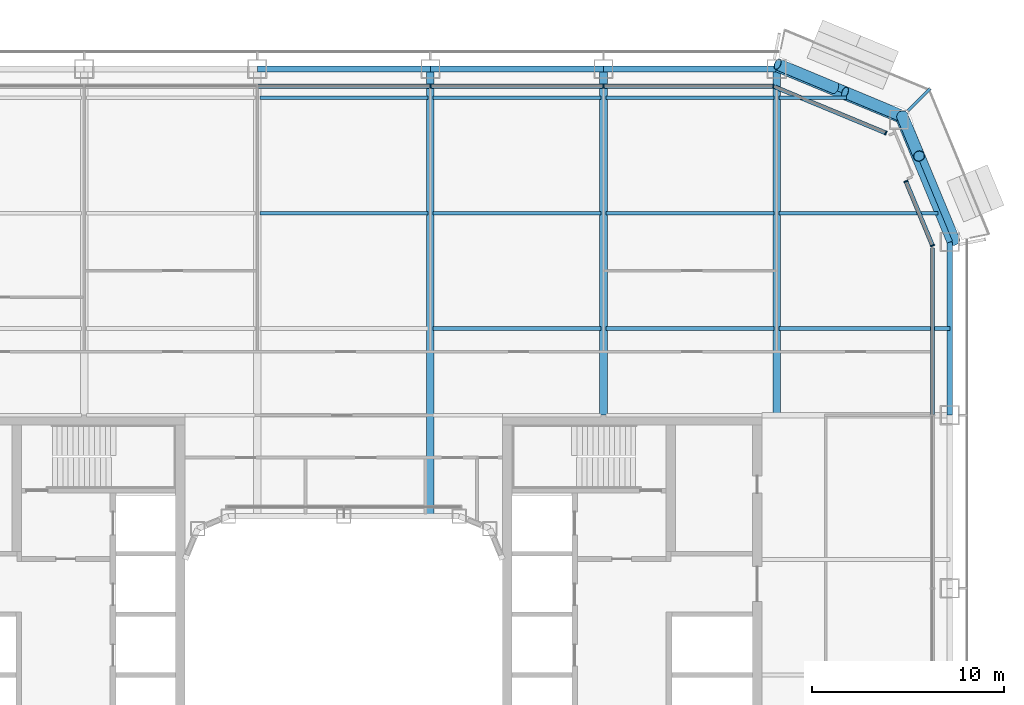
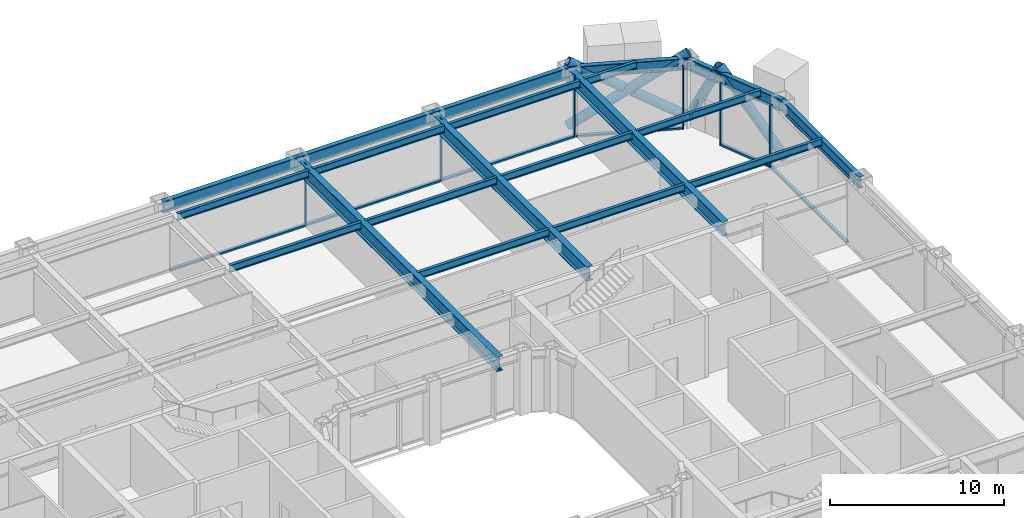
# One storey, part 10 of 30: 21 beams, 17 members, 4 elements without a shape of their own.
"""IFC4 building model written with IfcOpenShell, lengths in metres."""

from ifc_helpers import new_model, si_unit, direction, frame, origin, origin_2d, place, context, subcontext, project, spatial, rectangle, hollow_rectangle, hollow_circle, i_section, extrude, material, layer, layer_set, material_profile, profile_set, type_object, element, aggregate, save


model = new_model("IFC4")

# Units and contexts
model_context = context("Model", 3, precision=1e-05, world=origin(), true_north=direction((0.0, 1.0)))
body_context = subcontext(model_context, "Body", "Model", "MODEL_VIEW")
ifc_project = project(units=[si_unit("LENGTHUNIT", "METRE"), si_unit("AREAUNIT", "SQUARE_METRE"), si_unit("VOLUMEUNIT", "CUBIC_METRE"), si_unit("PLANEANGLEUNIT", "RADIAN"), si_unit("MASSUNIT", "GRAM", prefix="KILO")], contexts=[model_context])

# Site, building, storey
site_placement = place(None, origin())
site = spatial("IfcSite", under=ifc_project, at=site_placement, CompositionType="ELEMENT")
building_placement = place(site_placement, origin())
building = spatial("IfcBuilding", under=site, at=building_placement, Name="Siwar Civic Tower", CompositionType="ELEMENT")
storey_placement = place(building_placement, frame((0.0, 0.0, 80.699951171875)))
storey = spatial("IfcBuildingStorey", under=building, at=storey_placement, Name="L17", CompositionType="ELEMENT", Elevation=80.699951171875)

# Beam
ifc_material_1 = material(Name="Steel S355", Category="steel")
ifc_material_profile_1 = material_profile(ifc_material_1, hollow_rectangle(XDim=0.14990234375, YDim=0.25, WallThickness=0.010009765625, at=origin_2d()), Name="RHS250x150x10")
ifc_profile_set_1 = profile_set([ifc_material_profile_1], Name="Steel S355")
beam_type_1 = type_object("IfcBeamType", Name="ENV-BALCONY ARM", PredefinedType="BEAM", material=ifc_profile_set_1)
beam_1_placement = place(storey_placement, frame((29.32861328125, 29.32861328125, -0.27490234375), z_axis=(0.707106781187, 0.707106781187, 0.0), x_axis=(-0.707106781187, 0.707106781187, 0.0)))
element("IfcBeam", 1, at=beam_1_placement, inside=storey, type_object=beam_type_1, Name="Balcony cantilever beam NE 2", PredefinedType="BEAM", context=body_context, shape_type="SweptSolid", body=[
    extrude(hollow_rectangle(XDim=0.14990234375, YDim=0.25, WallThickness=0.010009765625, at=origin_2d()), origin(), (0.0, 0.0, 1.0), 1.615966796875),
])

# Curtain wall, members
ifc_material_2 = material(Name="Aluminium clad insulated panel", Category="aluminium")
ifc_layer_1 = layer(ifc_material_2, 0.219970703125)
ifc_layer_set_1 = layer_set([ifc_layer_1], Name="Aluminium clad insulated panel")
curtain_wall_type_1 = type_object("IfcCurtainWallType", Name="ENV-CW-AX", PredefinedType="NOTDEFINED", material=ifc_layer_set_1)
curtain_wall_1_placement = place(storey_placement, origin())
curtain_wall_1 = element("IfcCurtainWall", 2, at=curtain_wall_1_placement, inside=storey, type_object=curtain_wall_type_1, Name="Curtain wall A NE1", PredefinedType="NOTDEFINED")
ifc_material_3 = material(Name="Aluminium 6063-T6", Category="aluminium")
ifc_material_profile_2 = material_profile(ifc_material_3, rectangle(XDim=0.219970703125, YDim=0.070068359375, at=origin_2d()), Name="AL 220x70")
ifc_profile_set_2 = profile_set([ifc_material_profile_2], Name="Aluminium 6063-T6")
member_type_1 = type_object("IfcMemberType", Name="ENV-MULLION-A", PredefinedType="MULLION", material=ifc_profile_set_2)
member_1_placement = place(storey_placement, frame((30.60009765625, 22.321044921875, 0.0), z_axis=(0.0, 0.0, 1.0), x_axis=(-0.923879532511, -0.382683432365, 0.0)))
member_1 = element("IfcMember", 3, at=member_1_placement, type_object=member_type_1, Name="Mullion A NE1 1", PredefinedType="MULLION", context=body_context, shape_type="SweptSolid", body=[
    extrude(rectangle(XDim=0.219970703125, YDim=0.070068359375, at=origin_2d()), origin(), (0.0, 0.0, 1.0), 4.35009765625),
])
member_2_placement = place(storey_placement, frame((29.219482421875, 25.653564453125, 0.0), z_axis=(0.0, 0.0, 1.0), x_axis=(-0.923879532511, -0.382683432365, 0.0)))
member_2 = element("IfcMember", 4, at=member_2_placement, type_object=member_type_1, Name="Mullion A NE1 2", PredefinedType="MULLION", context=body_context, shape_type="SweptSolid", body=[
    extrude(rectangle(XDim=0.219970703125, YDim=0.070068359375, at=origin_2d()), origin(), (0.0, 0.0, 1.0), 4.35009765625),
])

# Curtain wall, member
curtain_wall_2_placement = place(storey_placement, origin())
curtain_wall_2 = element("IfcCurtainWall", 5, at=curtain_wall_2_placement, inside=storey, type_object=curtain_wall_type_1, Name="Curtain wall A NE2", PredefinedType="NOTDEFINED")
member_3_placement = place(storey_placement, frame((28.175048828125, 28.175048828125, 0.0), z_axis=(0.0, 0.0, 1.0), x_axis=(-0.382683432365, -0.923879532511, 0.0)))
member_3 = element("IfcMember", 6, at=member_3_placement, type_object=member_type_1, Name="Mullion A NE2 1", PredefinedType="MULLION", context=body_context, shape_type="SweptSolid", body=[
    extrude(rectangle(XDim=0.219970703125, YDim=0.070068359375, at=origin_2d()), origin(), (0.0, 0.0, 1.0), 4.35009765625),
])

# Curtain wall, members
ifc_material_4 = material(Name="Aluminium and glass", Category="aluminium")
ifc_layer_2 = layer(ifc_material_4, 0.219970703125)
ifc_layer_set_2 = layer_set([ifc_layer_2], Name="Aluminium and glass")
curtain_wall_type_2 = type_object("IfcCurtainWallType", Name="ENV-CW-A", PredefinedType="NOTDEFINED", material=ifc_layer_set_2)
curtain_wall_3_placement = place(storey_placement, origin())
curtain_wall_3 = element("IfcCurtainWall", 7, at=curtain_wall_3_placement, inside=storey, type_object=curtain_wall_type_2, Name="Curtain wall A N", PredefinedType="NOTDEFINED")
member_4_placement = place(storey_placement, frame((22.321044921875, 30.60009765625, 0.0), z_axis=(0.0, 0.0, 1.0), x_axis=(0.0, -1.0, 0.0)))
member_4 = element("IfcMember", 8, at=member_4_placement, type_object=member_type_1, Name="Mullion A N 1", PredefinedType="MULLION", context=body_context, shape_type="SweptSolid", body=[
    extrude(rectangle(XDim=0.219970703125, YDim=0.070068359375, at=origin_2d()), origin(), (0.0, 0.0, 1.0), 4.35009765625),
])
member_5_placement = place(storey_placement, frame((13.5, 30.60009765625, 0.0), z_axis=(0.0, 0.0, 1.0), x_axis=(0.0, -1.0, 0.0)))
member_5 = element("IfcMember", 9, at=member_5_placement, type_object=member_type_1, Name="Mullion A N 2", PredefinedType="MULLION", context=body_context, shape_type="SweptSolid", body=[
    extrude(rectangle(XDim=0.219970703125, YDim=0.070068359375, at=origin_2d()), origin(), (0.0, 0.0, 1.0), 4.35009765625),
])
member_6_placement = place(storey_placement, frame((4.5, 30.60009765625, 0.0), z_axis=(0.0, 0.0, 1.0), x_axis=(0.0, -1.0, 0.0)))
member_6 = element("IfcMember", 10, at=member_6_placement, type_object=member_type_1, Name="Mullion A N 3", PredefinedType="MULLION", context=body_context, shape_type="SweptSolid", body=[
    extrude(rectangle(XDim=0.219970703125, YDim=0.070068359375, at=origin_2d()), origin(), (0.0, 0.0, 1.0), 4.35009765625),
])

# Curtain wall, member
curtain_wall_4_placement = place(storey_placement, origin())
curtain_wall_4 = element("IfcCurtainWall", 11, at=curtain_wall_4_placement, inside=storey, type_object=curtain_wall_type_2, Name="Curtain wall A E", PredefinedType="NOTDEFINED")
ifc_material_5 = material(Name="Aluminium 6063-T6", Category="aluminium")
ifc_material_profile_3 = material_profile(ifc_material_5, rectangle(XDim=0.219970703125, YDim=0.1201171875, at=origin_2d()), Name="AL 220x120")
ifc_profile_set_3 = profile_set([ifc_material_profile_3], Name="Aluminium 6063-T6")
member_type_2 = type_object("IfcMemberType", Name="ENV-TRANSOM-A", PredefinedType="USERDEFINED", material=ifc_profile_set_3)
member_7_placement = place(storey_placement, frame((30.60009765625, 13.534912109375, 0.06005859375), z_axis=(0.0, 1.0, 0.0), x_axis=(-1.0, 0.0, 0.0)))
member_7 = element("IfcMember", 12, at=member_7_placement, type_object=member_type_2, Name="Transom A E 5", ObjectType="TRANSOM", PredefinedType="USERDEFINED", context=body_context, shape_type="SweptSolid", body=[
    extrude(rectangle(XDim=0.219970703125, YDim=0.1201171875, at=origin_2d()), origin(), (0.0, 0.0, 1.0), 8.66357421875),
])
aggregate(curtain_wall_4, [member_7])

# Member
member_8_placement = place(storey_placement, frame((30.586669921875, 22.353271484375, 0.06005859375), z_axis=(-0.38270330002, 0.923871302809, 0.0), x_axis=(-0.923871302809, -0.38270330002, 0.0)))
member_8 = element("IfcMember", 13, at=member_8_placement, type_object=member_type_2, Name="Transom A NE1 1", ObjectType="TRANSOM", PredefinedType="USERDEFINED", context=body_context, shape_type="SweptSolid", body=[
    extrude(rectangle(XDim=0.219970703125, YDim=0.1201171875, at=origin_2d()), origin(), (0.0, 0.0, 1.0), 3.537353515625),
])

aggregate(curtain_wall_1, [member_1, member_2, member_8])

member_9_placement = place(storey_placement, frame((28.142822265625, 28.1884765625, 0.06005859375), z_axis=(-0.923873326341, 0.382698415042, 0.0), x_axis=(-0.382698415042, -0.923873326341, 0.0)))
member_9 = element("IfcMember", 14, at=member_9_placement, type_object=member_type_2, Name="Transom A NE2 1", ObjectType="TRANSOM", PredefinedType="USERDEFINED", context=body_context, shape_type="SweptSolid", body=[
    extrude(rectangle(XDim=0.219970703125, YDim=0.1201171875, at=origin_2d()), origin(), (0.0, 0.0, 1.0), 6.17919921875),
])

aggregate(curtain_wall_2, [member_3, member_9])

member_10_placement = place(storey_placement, frame((22.285888671875, 30.60009765625, 0.06005859375), z_axis=(-1.0, 0.0, 0.0), x_axis=(0.0, -1.0, 0.0)))
member_10 = element("IfcMember", 15, at=member_10_placement, type_object=member_type_2, Name="Transom A N 1", ObjectType="TRANSOM", PredefinedType="USERDEFINED", context=body_context, shape_type="SweptSolid", body=[
    extrude(rectangle(XDim=0.219970703125, YDim=0.1201171875, at=origin_2d()), origin(), (0.0, 0.0, 1.0), 8.7509765625),
])

member_11_placement = place(storey_placement, frame((13.465087890625, 30.60009765625, 0.06005859375), z_axis=(-1.0, 0.0, 0.0), x_axis=(0.0, -1.0, 0.0)))
member_11 = element("IfcMember", 16, at=member_11_placement, type_object=member_type_2, Name="Transom A N 2", ObjectType="TRANSOM", PredefinedType="USERDEFINED", context=body_context, shape_type="SweptSolid", body=[
    extrude(rectangle(XDim=0.219970703125, YDim=0.1201171875, at=origin_2d()), origin(), (0.0, 0.0, 1.0), 8.93017578125),
])

member_12_placement = place(storey_placement, frame((4.465087890625, 30.60009765625, 0.06005859375), z_axis=(-1.0, 0.0, 0.0), x_axis=(0.0, -1.0, 0.0)))
member_12 = element("IfcMember", 17, at=member_12_placement, type_object=member_type_2, Name="Transom A N 3", ObjectType="TRANSOM", PredefinedType="USERDEFINED", context=body_context, shape_type="SweptSolid", body=[
    extrude(rectangle(XDim=0.219970703125, YDim=0.1201171875, at=origin_2d()), origin(), (0.0, 0.0, 1.0), 8.93017578125),
])

aggregate(curtain_wall_3, [member_4, member_5, member_6, member_10, member_11, member_12])

# Members
ifc_material_6 = material(Name="Steel S355", Category="steel")
ifc_material_profile_4 = material_profile(ifc_material_6, hollow_circle(Radius=0.304931640625, WallThickness=0.030029296875, at=origin_2d()), Name="CHS610x30")
ifc_profile_set_4 = profile_set([ifc_material_profile_4], Name="Steel S355")
member_type_3 = type_object("IfcMemberType", Name="STR-BR-CHS610x30", PredefinedType="BRACE", material=ifc_profile_set_4)
member_13_placement = place(storey_placement, frame((22.548828125, 31.7451171875, 0.0), z_axis=(0.777554562952, -0.323905527954, 0.538975055633), x_axis=(0.384538969033, 0.923108759191, 0.0)))
element("IfcMember", 18, at=member_13_placement, inside=storey, type_object=member_type_3, Name="L17/brc/ANE1-16-0-1", PredefinedType="BRACE", context=body_context, shape_type="SweptSolid", body=[
    extrude(hollow_circle(Radius=0.304931640625, WallThickness=0.030029296875, at=origin_2d()), origin(), (0.0, 0.0, 1.0), 8.34912109375),
])
member_14_placement = place(storey_placement, frame((29.040771484375, 29.040771484375, 0.0), z_axis=(-0.777542179573, 0.323922979564, 0.53898243227), x_axis=(-0.384561842466, -0.923099230484, 0.0)))
element("IfcMember", 19, at=member_14_placement, inside=storey, type_object=member_type_3, Name="L17/brc/ANE1-16-0-2", PredefinedType="BRACE", context=body_context, shape_type="SweptSolid", body=[
    extrude(hollow_circle(Radius=0.304931640625, WallThickness=0.030029296875, at=origin_2d()), origin(), (0.0, 0.0, 1.0), 3.84375),
])
member_15_placement = place(storey_placement, frame((25.537353515625, 30.500244140625, 2.428466796875), z_axis=(-0.777559680196, 0.3238932121, 0.53897507446), x_axis=(-0.384524353215, -0.923114847559, 0.0)))
element("IfcMember", 20, at=member_15_placement, inside=storey, type_object=member_type_3, Name="L17/brc/ANE1-16-0-3", PredefinedType="BRACE", context=body_context, shape_type="SweptSolid", body=[
    extrude(hollow_circle(Radius=0.304931640625, WallThickness=0.030029296875, at=origin_2d()), origin(), (0.0, 0.0, 1.0), 3.843505859375),
])
member_16_placement = place(storey_placement, frame((31.7451171875, 22.548828125, 0.0), z_axis=(-0.280310719993, 0.672864582402, 0.684601456328), x_axis=(-0.923101041979, -0.384557494138, 0.0)))
element("IfcMember", 21, at=member_16_placement, inside=storey, type_object=member_type_3, Name="L17/brc/ANE1-16-0-0", PredefinedType="BRACE", context=body_context, shape_type="SweptSolid", body=[
    extrude(hollow_circle(Radius=0.304931640625, WallThickness=0.030029296875, at=origin_2d()), origin(), (0.0, 0.0, 1.0), 6.5732421875),
])
member_17_placement = place(storey_placement, frame((29.040771484375, 29.040771484375, 0.0), z_axis=(0.171426870802, -0.411570178484, 0.895110504993), x_axis=(0.923125254544, 0.384499368559, 0.0)))
element("IfcMember", 22, at=member_17_placement, inside=storey, type_object=member_type_3, Name="L17/brc/ANE1-16-0-6", PredefinedType="BRACE", context=body_context, shape_type="SweptSolid", body=[
    extrude(hollow_circle(Radius=0.304931640625, WallThickness=0.030029296875, at=origin_2d()), origin(), (0.0, 0.0, 1.0), 5.02734375),
])

# Beams
ifc_material_7 = material(Name="Steel S355", Category="steel")
ifc_material_profile_5 = material_profile(ifc_material_7, i_section(OverallWidth=0.199951171875, OverallDepth=0.5, WebThickness=0.01025390625, FlangeThickness=0.01611328125, FilletRadius=0.02099609375, at=origin_2d()), Name="IPE500")
ifc_profile_set_5 = profile_set([ifc_material_profile_5], Name="Steel S355")
beam_type_2 = type_object("IfcBeamType", Name="STR-FB-IPE500", PredefinedType="JOIST", material=ifc_profile_set_5)
for number, where, z_axis, x_axis, name in (
    (23, (4.6298828125, 18.0, 4.10009765625), (1.0, 0.0, 0.0), (0.0, 1.0, 0.0), "L17/bm/F050"),
    (24, (13.6298828125, 18.0, 4.10009765625), (1.0, 0.0, 0.0), (0.0, 1.0, 0.0), "L17/bm/F051"),
):
    element("IfcBeam", number, at=place(storey_placement, frame(where, z_axis=z_axis, x_axis=x_axis)), inside=storey, type_object=beam_type_2, Name=name, PredefinedType="JOIST", context=body_context, shape_type="SweptSolid", body=[
        extrude(i_section(OverallWidth=0.199951171875, OverallDepth=0.5, WebThickness=0.01025390625, FlangeThickness=0.01611328125, FilletRadius=0.02099609375, at=origin_2d()), origin(), (0.0, 0.0, 1.0), 8.740234375),
    ])
beam_2_placement = place(storey_placement, frame((22.6298828125, 18.0, 4.10009765625), z_axis=(1.0, 0.0, 0.0), x_axis=(0.0, 1.0, 0.0)))
element("IfcBeam", 25, at=beam_2_placement, inside=storey, type_object=beam_type_2, Name="L17/bm/F052", PredefinedType="JOIST", context=body_context, shape_type="SweptSolid", body=[
    extrude(i_section(OverallWidth=0.199951171875, OverallDepth=0.5, WebThickness=0.01025390625, FlangeThickness=0.01611328125, FilletRadius=0.02099609375, at=origin_2d()), origin(), (0.0, 0.0, 1.0), 8.8701171875),
])
for number, where, z_axis, x_axis, name in (
    (26, (-4.3701171875, 24.0, 4.10009765625), (1.0, 0.0, 0.0), (0.0, 1.0, 0.0), "L17/bm/F056"),
    (27, (4.6298828125, 24.0, 4.10009765625), (1.0, 0.0, 0.0), (0.0, 1.0, 0.0), "L17/bm/F057"),
    (28, (13.6298828125, 24.0, 4.10009765625), (1.0, 0.0, 0.0), (0.0, 1.0, 0.0), "L17/bm/F058"),
):
    element("IfcBeam", number, at=place(storey_placement, frame(where, z_axis=z_axis, x_axis=x_axis)), inside=storey, type_object=beam_type_2, Name=name, PredefinedType="JOIST", context=body_context, shape_type="SweptSolid", body=[
        extrude(i_section(OverallWidth=0.199951171875, OverallDepth=0.5, WebThickness=0.01025390625, FlangeThickness=0.01611328125, FilletRadius=0.02099609375, at=origin_2d()), origin(), (0.0, 0.0, 1.0), 8.740234375),
    ])
beam_3_placement = place(storey_placement, frame((22.6298828125, 24.0, 4.10009765625), z_axis=(1.0, 0.0, 0.0), x_axis=(0.0, 1.0, 0.0)))
element("IfcBeam", 29, at=beam_3_placement, inside=storey, type_object=beam_type_2, Name="L17/bm/F059", PredefinedType="JOIST", context=body_context, shape_type="SweptSolid", body=[
    extrude(i_section(OverallWidth=0.199951171875, OverallDepth=0.5, WebThickness=0.01025390625, FlangeThickness=0.01611328125, FilletRadius=0.02099609375, at=origin_2d()), origin(), (0.0, 0.0, 1.0), 8.248779296875),
])
for number, where, z_axis, x_axis, name in (
    (30, (-4.3701171875, 30.0, 4.10009765625), (1.0, 0.0, 0.0), (0.0, 1.0, 0.0), "L17/bm/F063"),
    (31, (4.6298828125, 30.0, 4.10009765625), (1.0, 0.0, 0.0), (0.0, 1.0, 0.0), "L17/bm/F064"),
    (32, (13.6298828125, 30.0, 4.10009765625), (1.0, 0.0, 0.0), (0.0, 1.0, 0.0), "L17/bm/F065"),
):
    element("IfcBeam", number, at=place(storey_placement, frame(where, z_axis=z_axis, x_axis=x_axis)), inside=storey, type_object=beam_type_2, Name=name, PredefinedType="JOIST", context=body_context, shape_type="SweptSolid", body=[
        extrude(i_section(OverallWidth=0.199951171875, OverallDepth=0.5, WebThickness=0.01025390625, FlangeThickness=0.01611328125, FilletRadius=0.02099609375, at=origin_2d()), origin(), (0.0, 0.0, 1.0), 8.740234375),
    ])
beam_4_placement = place(storey_placement, frame((22.6298828125, 30.0, 4.10009765625), z_axis=(1.0, 0.0, 0.0), x_axis=(0.0, 1.0, 0.0)))
element("IfcBeam", 33, at=beam_4_placement, inside=storey, type_object=beam_type_2, Name="L17/bm/F066", PredefinedType="JOIST", context=body_context, shape_type="SweptSolid", body=[
    extrude(i_section(OverallWidth=0.199951171875, OverallDepth=0.5, WebThickness=0.01025390625, FlangeThickness=0.01611328125, FilletRadius=0.02099609375, at=origin_2d()), origin(), (0.0, 0.0, 1.0), 3.491455078125),
])
ifc_material_8 = material(Name="Steel S355", Category="steel")
ifc_material_profile_6 = material_profile(ifc_material_8, i_section(OverallWidth=0.39990234375, OverallDepth=1.0, WebThickness=0.01611328125, FlangeThickness=0.0400390625, at=origin_2d()), Name="PG1000x400x16x40")
ifc_profile_set_6 = profile_set([ifc_material_profile_6], Name="Steel S355")
beam_type_3 = type_object("IfcBeamType", Name="STR-PG-PG1000x400x16x40", PredefinedType="BEAM", material=ifc_profile_set_6)
beam_5_placement = place(storey_placement, frame((4.5, 8.25, 3.85009765625), z_axis=(0.0, 1.0, 0.0), x_axis=(-1.0, 0.0, 0.0)))
element("IfcBeam", 34, at=beam_5_placement, inside=storey, type_object=beam_type_3, Name="L17/bm/G08", PredefinedType="BEAM", context=body_context, shape_type="SweptSolid", body=[
    extrude(i_section(OverallWidth=0.39990234375, OverallDepth=1.0, WebThickness=0.01611328125, FlangeThickness=0.0400390625, at=origin_2d()), origin(), (0.0, 0.0, 1.0), 23.25),
])
for number, where, z_axis, x_axis, name in (
    (35, (13.5, 13.5, 3.85009765625), (0.0, 1.0, 0.0), (-1.0, 0.0, 0.0), "L17/bm/G10"),
    (36, (22.5, 13.5, 3.85009765625), (0.0, 1.0, 0.0), (-1.0, 0.0, 0.0), "L17/bm/G12"),
):
    element("IfcBeam", number, at=place(storey_placement, frame(where, z_axis=z_axis, x_axis=x_axis)), inside=storey, type_object=beam_type_3, Name=name, PredefinedType="BEAM", context=body_context, shape_type="SweptSolid", body=[
        extrude(i_section(OverallWidth=0.39990234375, OverallDepth=1.0, WebThickness=0.01611328125, FlangeThickness=0.0400390625, at=origin_2d()), origin(), (0.0, 0.0, 1.0), 18.0),
    ])
ifc_material_9 = material(Name="Steel S355", Category="steel")
ifc_material_profile_7 = material_profile(ifc_material_9, i_section(OverallWidth=0.302978515625, OverallDepth=0.81396484375, WebThickness=0.02099609375, FlangeThickness=0.0400390625, FilletRadius=0.030029296875, at=origin_2d()), Name="HEM800")
ifc_profile_set_7 = profile_set([ifc_material_profile_7], Name="Steel S355")
beam_type_4 = type_object("IfcBeamType", Name="STR-SB-HEM800", PredefinedType="BEAM", material=ifc_profile_set_7)
beam_6_placement = place(storey_placement, frame((31.5, 13.5, 3.943115234375), z_axis=(0.0, 1.0, 0.0), x_axis=(-1.0, 0.0, 0.0)))
element("IfcBeam", 37, at=beam_6_placement, inside=storey, type_object=beam_type_4, Name="L17/bm/SE-4", PredefinedType="BEAM", context=body_context, shape_type="SweptSolid", body=[
    extrude(i_section(OverallWidth=0.302978515625, OverallDepth=0.81396484375, WebThickness=0.02099609375, FlangeThickness=0.0400390625, FilletRadius=0.030029296875, at=origin_2d()), origin(), (0.0, 0.0, 1.0), 9.0),
])
for number, where, z_axis, x_axis, name in (
    (38, (31.5, 22.5, 3.943115234375), (-0.382674207535, 0.923883353507, 0.0), (-0.923883353507, -0.382674207535, 0.0), "L17/bm/SNE1-0"),
    (39, (28.864013671875, 28.864013671875, 3.943115234375), (-0.923883353507, 0.382674207535, 0.0), (-0.382674207535, -0.923883353507, 0.0), "L17/bm/SNE2-0"),
):
    element("IfcBeam", number, at=place(storey_placement, frame(where, z_axis=z_axis, x_axis=x_axis)), inside=storey, type_object=beam_type_4, Name=name, PredefinedType="BEAM", context=body_context, shape_type="SweptSolid", body=[
        extrude(i_section(OverallWidth=0.302978515625, OverallDepth=0.81396484375, WebThickness=0.02099609375, FlangeThickness=0.0400390625, FilletRadius=0.030029296875, at=origin_2d()), origin(), (0.0, 0.0, 1.0), 6.888427734375),
    ])
for number, where, z_axis, x_axis, name in (
    (40, (22.5, 31.5, 3.943115234375), (-1.0, 0.0, 0.0), (0.0, -1.0, 0.0), "L17/bm/SN-0"),
    (41, (13.5, 31.5, 3.943115234375), (-1.0, 0.0, 0.0), (0.0, -1.0, 0.0), "L17/bm/SN-1"),
    (42, (4.5, 31.5, 3.943115234375), (-1.0, 0.0, 0.0), (0.0, -1.0, 0.0), "L17/bm/SN-2"),
):
    element("IfcBeam", number, at=place(storey_placement, frame(where, z_axis=z_axis, x_axis=x_axis)), inside=storey, type_object=beam_type_4, Name=name, PredefinedType="BEAM", context=body_context, shape_type="SweptSolid", body=[
        extrude(i_section(OverallWidth=0.302978515625, OverallDepth=0.81396484375, WebThickness=0.02099609375, FlangeThickness=0.0400390625, FilletRadius=0.030029296875, at=origin_2d()), origin(), (0.0, 0.0, 1.0), 9.0),
    ])

save(model, "model.ifc")
